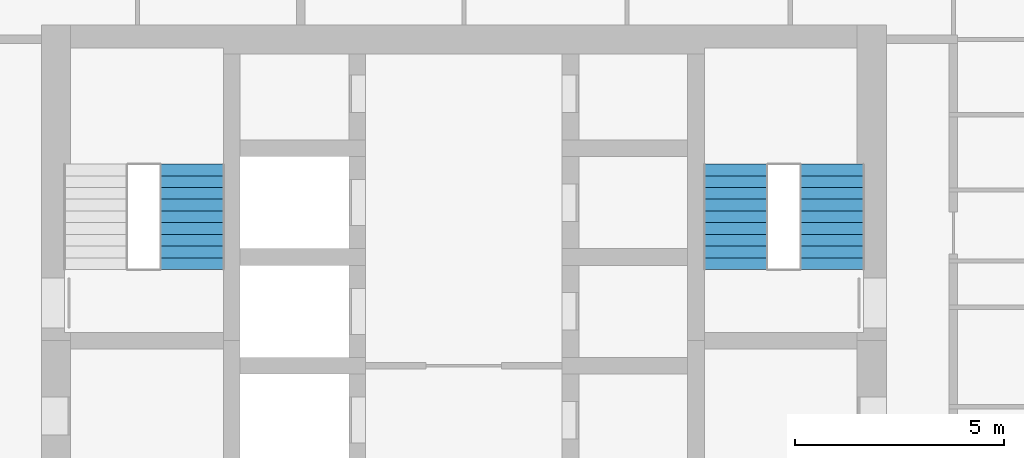
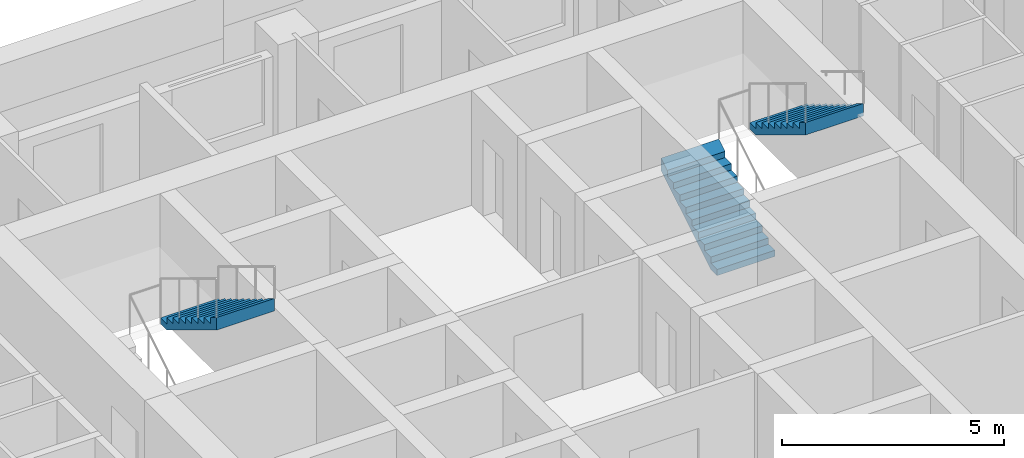
# One storey, part 15 of 17: 3 stair flights, 2 elements without a shape of their own.
"""IFC4 building model written with IfcOpenShell, lengths in metres."""

from ifc_helpers import new_model, si_unit, direction, frame, origin, place, context, subcontext, project, spatial, triangles, material, type_object, element, aggregate, save


model = new_model("IFC4")

# Units and contexts
model_context = context("Model", 3, precision=1e-05, world=origin(), true_north=direction((0.0, 1.0)))
body_context = subcontext(model_context, "Body", "Model", "MODEL_VIEW")
ifc_project = project(units=[si_unit("LENGTHUNIT", "METRE"), si_unit("AREAUNIT", "SQUARE_METRE"), si_unit("VOLUMEUNIT", "CUBIC_METRE"), si_unit("PLANEANGLEUNIT", "RADIAN"), si_unit("MASSUNIT", "GRAM", prefix="KILO")], contexts=[model_context])

# Site, building, storey
site_placement = place(None, origin())
site = spatial("IfcSite", under=ifc_project, at=site_placement, CompositionType="ELEMENT")
building_placement = place(site_placement, origin())
building = spatial("IfcBuilding", under=site, at=building_placement, Name="Ludao Terraces", CompositionType="ELEMENT")
storey_placement = place(building_placement, frame((0.0, 0.0, 54.60009765625)))
storey = spatial("IfcBuildingStorey", under=building, at=storey_placement, Name="L14", CompositionType="ELEMENT", Elevation=54.60009765625)

# Stair, stair flight
ifc_material = material(Name="Concrete C40", Category="concrete")
stair_type = type_object("IfcStairType", Name="INT Stair", PredefinedType="HALF_TURN_STAIR", material=ifc_material)
stair_1_placement = place(storey_placement, origin())
stair_1 = element("IfcStair", 1, at=stair_1_placement, inside=storey, type_object=stair_type, Name="EXIT STAIR 1", PredefinedType="HALF_TURN_STAIR")
stair_flight_type = type_object("IfcStairFlightType", Name="INT Stair flight", PredefinedType="STRAIGHT", material=ifc_material)
stair_flight_1_placement = place(storey_placement, frame((78.5, 81.52001953125, 1.699951171875), z_axis=(0.0, 0.0, 1.0), x_axis=(0.0, -1.0, 0.0)))
stair_flight_1 = element("IfcStairFlight", 2, at=stair_flight_1_placement, type_object=stair_flight_type, Name="ST1 flight 2", NumberOfRisers=10, NumberOfTreads=9, PredefinedType="STRAIGHT", RiserHeight=0.17, TreadLength=0.28, context=body_context, shape_type="Tessellation", body=[
    triangles([(0.0, -0.75, 0.0), (0.0, -0.5, 0.0), (0.0, -0.25, 0.0), (0.0, 0.0, 0.0), (0.0, 0.25, 0.0), (0.0, 0.5, 0.0), (0.0, 0.75, 0.0), (0.0, -0.75, 0.169921875), (0.0, -0.5, 0.169921875), (0.0, -0.25, 0.169921875), (0.0, 0.0, 0.169921875), (0.0, 0.25, 0.169921875), (0.0, 0.5, 0.169921875), (0.0, 0.75, 0.169921875), (0.280029296875, -0.75, 0.169921875), (0.280029296875, -0.5, 0.169921875), (0.280029296875, -0.25, 0.169921875), (0.280029296875, 0.0, 0.169921875), (0.280029296875, 0.25, 0.169921875), (0.280029296875, 0.5, 0.169921875), (0.280029296875, 0.75, 0.169921875), (0.280029296875, -0.75, 0.340087890625), (0.280029296875, -0.5, 0.340087890625), (0.280029296875, -0.25, 0.340087890625), (0.280029296875, 0.0, 0.340087890625), (0.280029296875, 0.25, 0.340087890625), (0.280029296875, 0.5, 0.340087890625), (0.280029296875, 0.75, 0.340087890625), (0.56005859375, -0.75, 0.340087890625), (0.56005859375, -0.5, 0.340087890625), (0.56005859375, -0.25, 0.340087890625), (0.56005859375, 0.0, 0.340087890625), (0.56005859375, 0.25, 0.340087890625), (0.56005859375, 0.5, 0.340087890625), (0.56005859375, 0.75, 0.340087890625), (0.56005859375, -0.75, 0.510009765625), (0.56005859375, -0.5, 0.510009765625), (0.56005859375, -0.25, 0.510009765625), (0.56005859375, 0.0, 0.510009765625), (0.56005859375, 0.25, 0.510009765625), (0.56005859375, 0.5, 0.510009765625), (0.56005859375, 0.75, 0.510009765625), (0.840087890625, -0.75, 0.510009765625), (0.840087890625, -0.5, 0.510009765625), (0.840087890625, -0.25, 0.510009765625), (0.840087890625, 0.0, 0.510009765625), (0.840087890625, 0.25, 0.510009765625), (0.840087890625, 0.5, 0.510009765625), (0.840087890625, 0.75, 0.510009765625), (0.840087890625, -0.75, 0.679931640625), (0.840087890625, -0.5, 0.679931640625), (0.840087890625, -0.25, 0.679931640625), (0.840087890625, 0.0, 0.679931640625), (0.840087890625, 0.25, 0.679931640625), (0.840087890625, 0.5, 0.679931640625), (0.840087890625, 0.75, 0.679931640625), (1.1201171875, -0.75, 0.679931640625), (1.1201171875, -0.5, 0.679931640625), (1.1201171875, -0.25, 0.679931640625), (1.1201171875, 0.0, 0.679931640625), (1.1201171875, 0.25, 0.679931640625), (1.1201171875, 0.5, 0.679931640625), (1.1201171875, 0.75, 0.679931640625), (1.1201171875, -0.75, 0.85009765625), (1.1201171875, -0.5, 0.85009765625), (1.1201171875, -0.25, 0.85009765625), (1.1201171875, 0.0, 0.85009765625), (1.1201171875, 0.25, 0.85009765625), (1.1201171875, 0.5, 0.85009765625), (1.1201171875, 0.75, 0.85009765625), (1.39990234375, -0.75, 0.85009765625), (1.39990234375, -0.5, 0.85009765625), (1.39990234375, -0.25, 0.85009765625), (1.39990234375, 0.0, 0.85009765625), (1.39990234375, 0.25, 0.85009765625), (1.39990234375, 0.5, 0.85009765625), (1.39990234375, 0.75, 0.85009765625), (1.39990234375, -0.75, 1.02001953125), (1.39990234375, -0.5, 1.02001953125), (1.39990234375, -0.25, 1.02001953125), (1.39990234375, 0.0, 1.02001953125), (1.39990234375, 0.25, 1.02001953125), (1.39990234375, 0.5, 1.02001953125), (1.39990234375, 0.75, 1.02001953125), (1.679931640625, -0.75, 1.02001953125), (1.679931640625, -0.5, 1.02001953125), (1.679931640625, -0.25, 1.02001953125), (1.679931640625, 0.0, 1.02001953125), (1.679931640625, 0.25, 1.02001953125), (1.679931640625, 0.5, 1.02001953125), (1.679931640625, 0.75, 1.02001953125), (1.679931640625, -0.75, 1.18994140625), (1.679931640625, -0.5, 1.18994140625), (1.679931640625, -0.25, 1.18994140625), (1.679931640625, 0.0, 1.18994140625), (1.679931640625, 0.25, 1.18994140625), (1.679931640625, 0.5, 1.18994140625), (1.679931640625, 0.75, 1.18994140625), (1.9599609375, -0.75, 1.18994140625), (1.9599609375, -0.5, 1.18994140625), (1.9599609375, -0.25, 1.18994140625), (1.9599609375, 0.0, 1.18994140625), (1.9599609375, 0.25, 1.18994140625), (1.9599609375, 0.5, 1.18994140625), (1.9599609375, 0.75, 1.18994140625), (1.9599609375, -0.75, 1.360107421875), (1.9599609375, -0.5, 1.360107421875), (1.9599609375, -0.25, 1.360107421875), (1.9599609375, 0.0, 1.360107421875), (1.9599609375, 0.25, 1.360107421875), (1.9599609375, 0.5, 1.360107421875), (1.9599609375, 0.75, 1.360107421875), (2.239990234375, -0.75, 1.360107421875), (2.239990234375, -0.5, 1.360107421875), (2.239990234375, -0.25, 1.360107421875), (2.239990234375, 0.0, 1.360107421875), (2.239990234375, 0.25, 1.360107421875), (2.239990234375, 0.5, 1.360107421875), (2.239990234375, 0.75, 1.360107421875), (2.239990234375, -0.75, 1.530029296875), (2.239990234375, -0.5, 1.530029296875), (2.239990234375, -0.25, 1.530029296875), (2.239990234375, 0.0, 1.530029296875), (2.239990234375, 0.25, 1.530029296875), (2.239990234375, 0.5, 1.530029296875), (2.239990234375, 0.75, 1.530029296875), (2.52001953125, -0.75, 1.699951171875), (2.52001953125, -0.5, 1.699951171875), (2.52001953125, -0.25, 1.699951171875), (2.52001953125, 0.0, 1.699951171875), (2.52001953125, 0.25, 1.699951171875), (2.52001953125, 0.5, 1.699951171875), (2.52001953125, 0.75, 1.699951171875), (2.52001953125, -0.75, 1.354736328125), (2.52001953125, -0.5, 1.354736328125), (2.52001953125, -0.25, 1.354736328125), (2.52001953125, 0.0, 1.354736328125), (2.52001953125, 0.25, 1.354736328125), (2.52001953125, 0.5, 1.354736328125), (2.52001953125, 0.75, 1.354736328125), (0.288818359375, -0.75, 0.0), (0.288818359375, -0.5, 0.0), (0.288818359375, -0.25, 0.0), (0.288818359375, 0.0, 0.0), (0.288818359375, 0.25, 0.0), (0.288818359375, 0.5, 0.0), (0.288818359375, 0.75, 0.0)], [[1, 141, 134], [7, 140, 147], [134, 127, 120], [140, 126, 133], [134, 120, 113], [140, 119, 126], [134, 113, 106], [140, 112, 119], [134, 106, 99], [140, 105, 112], [99, 92, 85], [105, 91, 98], [134, 99, 85], [140, 91, 105], [85, 78, 71], [91, 77, 84], [134, 85, 71], [140, 77, 91], [71, 64, 57], [77, 63, 70], [134, 71, 57], [140, 63, 77], [57, 50, 43], [63, 49, 56], [134, 57, 43], [140, 49, 63], [43, 36, 29], [49, 35, 42], [134, 43, 29], [140, 35, 49], [29, 22, 15], [35, 21, 28], [134, 29, 15], [140, 21, 35], [1, 134, 15], [7, 21, 140], [15, 8, 1], [21, 7, 14], [1, 9, 2], [1, 8, 9], [2, 10, 3], [2, 9, 10], [3, 11, 4], [3, 10, 11], [4, 12, 5], [4, 11, 12], [5, 13, 6], [5, 12, 13], [6, 14, 7], [6, 13, 14], [8, 16, 9], [8, 15, 16], [9, 17, 10], [9, 16, 17], [10, 18, 11], [10, 17, 18], [11, 19, 12], [11, 18, 19], [12, 20, 13], [12, 19, 20], [13, 21, 14], [13, 20, 21], [15, 23, 16], [15, 22, 23], [16, 24, 17], [16, 23, 24], [17, 25, 18], [17, 24, 25], [18, 26, 19], [18, 25, 26], [19, 27, 20], [19, 26, 27], [20, 28, 21], [20, 27, 28], [22, 30, 23], [22, 29, 30], [23, 31, 24], [23, 30, 31], [24, 32, 25], [24, 31, 32], [25, 33, 26], [25, 32, 33], [26, 34, 27], [26, 33, 34], [27, 35, 28], [27, 34, 35], [29, 37, 30], [29, 36, 37], [30, 38, 31], [30, 37, 38], [31, 39, 32], [31, 38, 39], [32, 40, 33], [32, 39, 40], [33, 41, 34], [33, 40, 41], [34, 42, 35], [34, 41, 42], [36, 44, 37], [36, 43, 44], [37, 45, 38], [37, 44, 45], [38, 46, 39], [38, 45, 46], [39, 47, 40], [39, 46, 47], [40, 48, 41], [40, 47, 48], [41, 49, 42], [41, 48, 49], [43, 51, 44], [43, 50, 51], [44, 52, 45], [44, 51, 52], [45, 53, 46], [45, 52, 53], [46, 54, 47], [46, 53, 54], [47, 55, 48], [47, 54, 55], [48, 56, 49], [48, 55, 56], [50, 58, 51], [50, 57, 58], [51, 59, 52], [51, 58, 59], [52, 60, 53], [52, 59, 60], [53, 61, 54], [53, 60, 61], [54, 62, 55], [54, 61, 62], [55, 63, 56], [55, 62, 63], [57, 65, 58], [57, 64, 65], [58, 66, 59], [58, 65, 66], [59, 67, 60], [59, 66, 67], [60, 68, 61], [60, 67, 68], [61, 69, 62], [61, 68, 69], [62, 70, 63], [62, 69, 70], [64, 72, 65], [64, 71, 72], [65, 73, 66], [65, 72, 73], [66, 74, 67], [66, 73, 74], [67, 75, 68], [67, 74, 75], [68, 76, 69], [68, 75, 76], [69, 77, 70], [69, 76, 77], [71, 79, 72], [71, 78, 79], [72, 80, 73], [72, 79, 80], [73, 81, 74], [73, 80, 81], [74, 82, 75], [74, 81, 82], [75, 83, 76], [75, 82, 83], [76, 84, 77], [76, 83, 84], [78, 86, 79], [78, 85, 86], [79, 87, 80], [79, 86, 87], [80, 88, 81], [80, 87, 88], [81, 89, 82], [81, 88, 89], [82, 90, 83], [82, 89, 90], [83, 91, 84], [83, 90, 91], [85, 93, 86], [85, 92, 93], [86, 94, 87], [86, 93, 94], [87, 95, 88], [87, 94, 95], [88, 96, 89], [88, 95, 96], [89, 97, 90], [89, 96, 97], [90, 98, 91], [90, 97, 98], [92, 100, 93], [92, 99, 100], [93, 101, 94], [93, 100, 101], [94, 102, 95], [94, 101, 102], [95, 103, 96], [95, 102, 103], [96, 104, 97], [96, 103, 104], [97, 105, 98], [97, 104, 105], [99, 107, 100], [99, 106, 107], [100, 108, 101], [100, 107, 108], [101, 109, 102], [101, 108, 109], [102, 110, 103], [102, 109, 110], [103, 111, 104], [103, 110, 111], [104, 112, 105], [104, 111, 112], [106, 114, 107], [106, 113, 114], [107, 115, 108], [107, 114, 115], [108, 116, 109], [108, 115, 116], [109, 117, 110], [109, 116, 117], [110, 118, 111], [110, 117, 118], [111, 119, 112], [111, 118, 119], [113, 121, 114], [113, 120, 121], [114, 122, 115], [114, 121, 122], [115, 123, 116], [115, 122, 123], [116, 124, 117], [116, 123, 124], [117, 125, 118], [117, 124, 125], [118, 126, 119], [118, 125, 126], [120, 128, 121], [120, 127, 128], [121, 129, 122], [121, 128, 129], [122, 130, 123], [122, 129, 130], [123, 131, 124], [123, 130, 131], [124, 132, 125], [124, 131, 132], [125, 133, 126], [125, 132, 133], [127, 135, 128], [127, 134, 135], [128, 136, 129], [128, 135, 136], [129, 137, 130], [129, 136, 137], [130, 138, 131], [130, 137, 138], [131, 139, 132], [131, 138, 139], [132, 140, 133], [132, 139, 140], [134, 142, 135], [134, 141, 142], [135, 143, 136], [135, 142, 143], [136, 144, 137], [136, 143, 144], [137, 145, 138], [137, 144, 145], [138, 146, 139], [138, 145, 146], [139, 147, 140], [139, 146, 147], [141, 2, 142], [141, 1, 2], [142, 3, 143], [142, 2, 3], [143, 4, 144], [143, 3, 4], [144, 5, 145], [144, 4, 5], [145, 6, 146], [145, 5, 6], [146, 7, 147], [146, 6, 7]], closed=True),
])
aggregate(stair_1, [stair_flight_1])

# Stair, stair flights
stair_2_placement = place(storey_placement, origin())
stair_2 = element("IfcStair", 3, at=stair_2_placement, inside=storey, type_object=stair_type, Name="EXIT STAIR 2", PredefinedType="HALF_TURN_STAIR")
stair_flight_2_placement = place(storey_placement, frame((91.5, 79.0, 0.0), z_axis=(0.0, 0.0, 1.0), x_axis=(0.0, 1.0, 0.0)))
stair_flight_2 = element("IfcStairFlight", 4, at=stair_flight_2_placement, type_object=stair_flight_type, Name="ST2 flight 1", NumberOfRisers=10, NumberOfTreads=9, PredefinedType="STRAIGHT", RiserHeight=0.17, TreadLength=0.28, context=body_context, shape_type="Tessellation", body=[
    triangles([(0.0, -0.75, 0.0), (0.0, -0.5, 0.0), (0.0, -0.25, 0.0), (0.0, 0.0, 0.0), (0.0, 0.25, 0.0), (0.0, 0.5, 0.0), (0.0, 0.75, 0.0), (0.0, -0.75, 0.169921875), (0.0, -0.5, 0.169921875), (0.0, -0.25, 0.169921875), (0.0, 0.0, 0.169921875), (0.0, 0.25, 0.169921875), (0.0, 0.5, 0.169921875), (0.0, 0.75, 0.169921875), (0.280029296875, -0.75, 0.169921875), (0.280029296875, -0.5, 0.169921875), (0.280029296875, -0.25, 0.169921875), (0.280029296875, 0.0, 0.169921875), (0.280029296875, 0.25, 0.169921875), (0.280029296875, 0.5, 0.169921875), (0.280029296875, 0.75, 0.169921875), (0.280029296875, -0.75, 0.340087890625), (0.280029296875, -0.5, 0.340087890625), (0.280029296875, -0.25, 0.340087890625), (0.280029296875, 0.0, 0.340087890625), (0.280029296875, 0.25, 0.340087890625), (0.280029296875, 0.5, 0.340087890625), (0.280029296875, 0.75, 0.340087890625), (0.56005859375, -0.75, 0.340087890625), (0.56005859375, -0.5, 0.340087890625), (0.56005859375, -0.25, 0.340087890625), (0.56005859375, 0.0, 0.340087890625), (0.56005859375, 0.25, 0.340087890625), (0.56005859375, 0.5, 0.340087890625), (0.56005859375, 0.75, 0.340087890625), (0.56005859375, -0.75, 0.510009765625), (0.56005859375, -0.5, 0.510009765625), (0.56005859375, -0.25, 0.510009765625), (0.56005859375, 0.0, 0.510009765625), (0.56005859375, 0.25, 0.510009765625), (0.56005859375, 0.5, 0.510009765625), (0.56005859375, 0.75, 0.510009765625), (0.840087890625, -0.75, 0.510009765625), (0.840087890625, -0.5, 0.510009765625), (0.840087890625, -0.25, 0.510009765625), (0.840087890625, 0.0, 0.510009765625), (0.840087890625, 0.25, 0.510009765625), (0.840087890625, 0.5, 0.510009765625), (0.840087890625, 0.75, 0.510009765625), (0.840087890625, -0.75, 0.679931640625), (0.840087890625, -0.5, 0.679931640625), (0.840087890625, -0.25, 0.679931640625), (0.840087890625, 0.0, 0.679931640625), (0.840087890625, 0.25, 0.679931640625), (0.840087890625, 0.5, 0.679931640625), (0.840087890625, 0.75, 0.679931640625), (1.1201171875, -0.75, 0.679931640625), (1.1201171875, -0.5, 0.679931640625), (1.1201171875, -0.25, 0.679931640625), (1.1201171875, 0.0, 0.679931640625), (1.1201171875, 0.25, 0.679931640625), (1.1201171875, 0.5, 0.679931640625), (1.1201171875, 0.75, 0.679931640625), (1.1201171875, -0.75, 0.85009765625), (1.1201171875, -0.5, 0.85009765625), (1.1201171875, -0.25, 0.85009765625), (1.1201171875, 0.0, 0.85009765625), (1.1201171875, 0.25, 0.85009765625), (1.1201171875, 0.5, 0.85009765625), (1.1201171875, 0.75, 0.85009765625), (1.39990234375, -0.75, 0.85009765625), (1.39990234375, -0.5, 0.85009765625), (1.39990234375, -0.25, 0.85009765625), (1.39990234375, 0.0, 0.85009765625), (1.39990234375, 0.25, 0.85009765625), (1.39990234375, 0.5, 0.85009765625), (1.39990234375, 0.75, 0.85009765625), (1.39990234375, -0.75, 1.02001953125), (1.39990234375, -0.5, 1.02001953125), (1.39990234375, -0.25, 1.02001953125), (1.39990234375, 0.0, 1.02001953125), (1.39990234375, 0.25, 1.02001953125), (1.39990234375, 0.5, 1.02001953125), (1.39990234375, 0.75, 1.02001953125), (1.679931640625, -0.75, 1.02001953125), (1.679931640625, -0.5, 1.02001953125), (1.679931640625, -0.25, 1.02001953125), (1.679931640625, 0.0, 1.02001953125), (1.679931640625, 0.25, 1.02001953125), (1.679931640625, 0.5, 1.02001953125), (1.679931640625, 0.75, 1.02001953125), (1.679931640625, -0.75, 1.18994140625), (1.679931640625, -0.5, 1.18994140625), (1.679931640625, -0.25, 1.18994140625), (1.679931640625, 0.0, 1.18994140625), (1.679931640625, 0.25, 1.18994140625), (1.679931640625, 0.5, 1.18994140625), (1.679931640625, 0.75, 1.18994140625), (1.9599609375, -0.75, 1.18994140625), (1.9599609375, -0.5, 1.18994140625), (1.9599609375, -0.25, 1.18994140625), (1.9599609375, 0.0, 1.18994140625), (1.9599609375, 0.25, 1.18994140625), (1.9599609375, 0.5, 1.18994140625), (1.9599609375, 0.75, 1.18994140625), (1.9599609375, -0.75, 1.360107421875), (1.9599609375, -0.5, 1.360107421875), (1.9599609375, -0.25, 1.360107421875), (1.9599609375, 0.0, 1.360107421875), (1.9599609375, 0.25, 1.360107421875), (1.9599609375, 0.5, 1.360107421875), (1.9599609375, 0.75, 1.360107421875), (2.239990234375, -0.75, 1.360107421875), (2.239990234375, -0.5, 1.360107421875), (2.239990234375, -0.25, 1.360107421875), (2.239990234375, 0.0, 1.360107421875), (2.239990234375, 0.25, 1.360107421875), (2.239990234375, 0.5, 1.360107421875), (2.239990234375, 0.75, 1.360107421875), (2.239990234375, -0.75, 1.530029296875), (2.239990234375, -0.5, 1.530029296875), (2.239990234375, -0.25, 1.530029296875), (2.239990234375, 0.0, 1.530029296875), (2.239990234375, 0.25, 1.530029296875), (2.239990234375, 0.5, 1.530029296875), (2.239990234375, 0.75, 1.530029296875), (2.52001953125, -0.75, 1.699951171875), (2.52001953125, -0.5, 1.699951171875), (2.52001953125, -0.25, 1.699951171875), (2.52001953125, 0.0, 1.699951171875), (2.52001953125, 0.25, 1.699951171875), (2.52001953125, 0.5, 1.699951171875), (2.52001953125, 0.75, 1.699951171875), (2.52001953125, -0.75, 1.354736328125), (2.52001953125, -0.5, 1.354736328125), (2.52001953125, -0.25, 1.354736328125), (2.52001953125, 0.0, 1.354736328125), (2.52001953125, 0.25, 1.354736328125), (2.52001953125, 0.5, 1.354736328125), (2.52001953125, 0.75, 1.354736328125), (0.288818359375, -0.75, 0.0), (0.288818359375, -0.5, 0.0), (0.288818359375, -0.25, 0.0), (0.288818359375, 0.0, 0.0), (0.288818359375, 0.25, 0.0), (0.288818359375, 0.5, 0.0), (0.288818359375, 0.75, 0.0)], [[1, 141, 134], [7, 140, 147], [134, 127, 120], [140, 126, 133], [134, 120, 113], [140, 119, 126], [134, 113, 106], [140, 112, 119], [134, 106, 99], [140, 105, 112], [99, 92, 85], [105, 91, 98], [134, 99, 85], [140, 91, 105], [85, 78, 71], [91, 77, 84], [134, 85, 71], [140, 77, 91], [71, 64, 57], [77, 63, 70], [134, 71, 57], [140, 63, 77], [57, 50, 43], [63, 49, 56], [134, 57, 43], [140, 49, 63], [43, 36, 29], [49, 35, 42], [134, 43, 29], [140, 35, 49], [29, 22, 15], [35, 21, 28], [134, 29, 15], [140, 21, 35], [1, 134, 15], [7, 21, 140], [15, 8, 1], [21, 7, 14], [1, 9, 2], [1, 8, 9], [2, 10, 3], [2, 9, 10], [3, 11, 4], [3, 10, 11], [4, 12, 5], [4, 11, 12], [5, 13, 6], [5, 12, 13], [6, 14, 7], [6, 13, 14], [8, 16, 9], [8, 15, 16], [9, 17, 10], [9, 16, 17], [10, 18, 11], [10, 17, 18], [11, 19, 12], [11, 18, 19], [12, 20, 13], [12, 19, 20], [13, 21, 14], [13, 20, 21], [15, 23, 16], [15, 22, 23], [16, 24, 17], [16, 23, 24], [17, 25, 18], [17, 24, 25], [18, 26, 19], [18, 25, 26], [19, 27, 20], [19, 26, 27], [20, 28, 21], [20, 27, 28], [22, 30, 23], [22, 29, 30], [23, 31, 24], [23, 30, 31], [24, 32, 25], [24, 31, 32], [25, 33, 26], [25, 32, 33], [26, 34, 27], [26, 33, 34], [27, 35, 28], [27, 34, 35], [29, 37, 30], [29, 36, 37], [30, 38, 31], [30, 37, 38], [31, 39, 32], [31, 38, 39], [32, 40, 33], [32, 39, 40], [33, 41, 34], [33, 40, 41], [34, 42, 35], [34, 41, 42], [36, 44, 37], [36, 43, 44], [37, 45, 38], [37, 44, 45], [38, 46, 39], [38, 45, 46], [39, 47, 40], [39, 46, 47], [40, 48, 41], [40, 47, 48], [41, 49, 42], [41, 48, 49], [43, 51, 44], [43, 50, 51], [44, 52, 45], [44, 51, 52], [45, 53, 46], [45, 52, 53], [46, 54, 47], [46, 53, 54], [47, 55, 48], [47, 54, 55], [48, 56, 49], [48, 55, 56], [50, 58, 51], [50, 57, 58], [51, 59, 52], [51, 58, 59], [52, 60, 53], [52, 59, 60], [53, 61, 54], [53, 60, 61], [54, 62, 55], [54, 61, 62], [55, 63, 56], [55, 62, 63], [57, 65, 58], [57, 64, 65], [58, 66, 59], [58, 65, 66], [59, 67, 60], [59, 66, 67], [60, 68, 61], [60, 67, 68], [61, 69, 62], [61, 68, 69], [62, 70, 63], [62, 69, 70], [64, 72, 65], [64, 71, 72], [65, 73, 66], [65, 72, 73], [66, 74, 67], [66, 73, 74], [67, 75, 68], [67, 74, 75], [68, 76, 69], [68, 75, 76], [69, 77, 70], [69, 76, 77], [71, 79, 72], [71, 78, 79], [72, 80, 73], [72, 79, 80], [73, 81, 74], [73, 80, 81], [74, 82, 75], [74, 81, 82], [75, 83, 76], [75, 82, 83], [76, 84, 77], [76, 83, 84], [78, 86, 79], [78, 85, 86], [79, 87, 80], [79, 86, 87], [80, 88, 81], [80, 87, 88], [81, 89, 82], [81, 88, 89], [82, 90, 83], [82, 89, 90], [83, 91, 84], [83, 90, 91], [85, 93, 86], [85, 92, 93], [86, 94, 87], [86, 93, 94], [87, 95, 88], [87, 94, 95], [88, 96, 89], [88, 95, 96], [89, 97, 90], [89, 96, 97], [90, 98, 91], [90, 97, 98], [92, 100, 93], [92, 99, 100], [93, 101, 94], [93, 100, 101], [94, 102, 95], [94, 101, 102], [95, 103, 96], [95, 102, 103], [96, 104, 97], [96, 103, 104], [97, 105, 98], [97, 104, 105], [99, 107, 100], [99, 106, 107], [100, 108, 101], [100, 107, 108], [101, 109, 102], [101, 108, 109], [102, 110, 103], [102, 109, 110], [103, 111, 104], [103, 110, 111], [104, 112, 105], [104, 111, 112], [106, 114, 107], [106, 113, 114], [107, 115, 108], [107, 114, 115], [108, 116, 109], [108, 115, 116], [109, 117, 110], [109, 116, 117], [110, 118, 111], [110, 117, 118], [111, 119, 112], [111, 118, 119], [113, 121, 114], [113, 120, 121], [114, 122, 115], [114, 121, 122], [115, 123, 116], [115, 122, 123], [116, 124, 117], [116, 123, 124], [117, 125, 118], [117, 124, 125], [118, 126, 119], [118, 125, 126], [120, 128, 121], [120, 127, 128], [121, 129, 122], [121, 128, 129], [122, 130, 123], [122, 129, 130], [123, 131, 124], [123, 130, 131], [124, 132, 125], [124, 131, 132], [125, 133, 126], [125, 132, 133], [127, 135, 128], [127, 134, 135], [128, 136, 129], [128, 135, 136], [129, 137, 130], [129, 136, 137], [130, 138, 131], [130, 137, 138], [131, 139, 132], [131, 138, 139], [132, 140, 133], [132, 139, 140], [134, 142, 135], [134, 141, 142], [135, 143, 136], [135, 142, 143], [136, 144, 137], [136, 143, 144], [137, 145, 138], [137, 144, 145], [138, 146, 139], [138, 145, 146], [139, 147, 140], [139, 146, 147], [141, 2, 142], [141, 1, 2], [142, 3, 143], [142, 2, 3], [143, 4, 144], [143, 3, 4], [144, 5, 145], [144, 4, 5], [145, 6, 146], [145, 5, 6], [146, 7, 147], [146, 6, 7]], closed=True),
])
stair_flight_3_placement = place(storey_placement, frame((93.800048828125, 81.52001953125, 1.699951171875), z_axis=(0.0, 0.0, 1.0), x_axis=(0.0, -1.0, 0.0)))
stair_flight_3 = element("IfcStairFlight", 5, at=stair_flight_3_placement, type_object=stair_flight_type, Name="ST2 flight 2", NumberOfRisers=10, NumberOfTreads=9, PredefinedType="STRAIGHT", RiserHeight=0.17, TreadLength=0.28, context=body_context, shape_type="Tessellation", body=[
    triangles([(0.0, -0.75, 0.0), (0.0, -0.5, 0.0), (0.0, -0.25, 0.0), (0.0, 0.0, 0.0), (0.0, 0.25, 0.0), (0.0, 0.5, 0.0), (0.0, 0.75, 0.0), (0.0, -0.75, 0.169921875), (0.0, -0.5, 0.169921875), (0.0, -0.25, 0.169921875), (0.0, 0.0, 0.169921875), (0.0, 0.25, 0.169921875), (0.0, 0.5, 0.169921875), (0.0, 0.75, 0.169921875), (0.280029296875, -0.75, 0.169921875), (0.280029296875, -0.5, 0.169921875), (0.280029296875, -0.25, 0.169921875), (0.280029296875, 0.0, 0.169921875), (0.280029296875, 0.25, 0.169921875), (0.280029296875, 0.5, 0.169921875), (0.280029296875, 0.75, 0.169921875), (0.280029296875, -0.75, 0.340087890625), (0.280029296875, -0.5, 0.340087890625), (0.280029296875, -0.25, 0.340087890625), (0.280029296875, 0.0, 0.340087890625), (0.280029296875, 0.25, 0.340087890625), (0.280029296875, 0.5, 0.340087890625), (0.280029296875, 0.75, 0.340087890625), (0.56005859375, -0.75, 0.340087890625), (0.56005859375, -0.5, 0.340087890625), (0.56005859375, -0.25, 0.340087890625), (0.56005859375, 0.0, 0.340087890625), (0.56005859375, 0.25, 0.340087890625), (0.56005859375, 0.5, 0.340087890625), (0.56005859375, 0.75, 0.340087890625), (0.56005859375, -0.75, 0.510009765625), (0.56005859375, -0.5, 0.510009765625), (0.56005859375, -0.25, 0.510009765625), (0.56005859375, 0.0, 0.510009765625), (0.56005859375, 0.25, 0.510009765625), (0.56005859375, 0.5, 0.510009765625), (0.56005859375, 0.75, 0.510009765625), (0.840087890625, -0.75, 0.510009765625), (0.840087890625, -0.5, 0.510009765625), (0.840087890625, -0.25, 0.510009765625), (0.840087890625, 0.0, 0.510009765625), (0.840087890625, 0.25, 0.510009765625), (0.840087890625, 0.5, 0.510009765625), (0.840087890625, 0.75, 0.510009765625), (0.840087890625, -0.75, 0.679931640625), (0.840087890625, -0.5, 0.679931640625), (0.840087890625, -0.25, 0.679931640625), (0.840087890625, 0.0, 0.679931640625), (0.840087890625, 0.25, 0.679931640625), (0.840087890625, 0.5, 0.679931640625), (0.840087890625, 0.75, 0.679931640625), (1.1201171875, -0.75, 0.679931640625), (1.1201171875, -0.5, 0.679931640625), (1.1201171875, -0.25, 0.679931640625), (1.1201171875, 0.0, 0.679931640625), (1.1201171875, 0.25, 0.679931640625), (1.1201171875, 0.5, 0.679931640625), (1.1201171875, 0.75, 0.679931640625), (1.1201171875, -0.75, 0.85009765625), (1.1201171875, -0.5, 0.85009765625), (1.1201171875, -0.25, 0.85009765625), (1.1201171875, 0.0, 0.85009765625), (1.1201171875, 0.25, 0.85009765625), (1.1201171875, 0.5, 0.85009765625), (1.1201171875, 0.75, 0.85009765625), (1.39990234375, -0.75, 0.85009765625), (1.39990234375, -0.5, 0.85009765625), (1.39990234375, -0.25, 0.85009765625), (1.39990234375, 0.0, 0.85009765625), (1.39990234375, 0.25, 0.85009765625), (1.39990234375, 0.5, 0.85009765625), (1.39990234375, 0.75, 0.85009765625), (1.39990234375, -0.75, 1.02001953125), (1.39990234375, -0.5, 1.02001953125), (1.39990234375, -0.25, 1.02001953125), (1.39990234375, 0.0, 1.02001953125), (1.39990234375, 0.25, 1.02001953125), (1.39990234375, 0.5, 1.02001953125), (1.39990234375, 0.75, 1.02001953125), (1.679931640625, -0.75, 1.02001953125), (1.679931640625, -0.5, 1.02001953125), (1.679931640625, -0.25, 1.02001953125), (1.679931640625, 0.0, 1.02001953125), (1.679931640625, 0.25, 1.02001953125), (1.679931640625, 0.5, 1.02001953125), (1.679931640625, 0.75, 1.02001953125), (1.679931640625, -0.75, 1.18994140625), (1.679931640625, -0.5, 1.18994140625), (1.679931640625, -0.25, 1.18994140625), (1.679931640625, 0.0, 1.18994140625), (1.679931640625, 0.25, 1.18994140625), (1.679931640625, 0.5, 1.18994140625), (1.679931640625, 0.75, 1.18994140625), (1.9599609375, -0.75, 1.18994140625), (1.9599609375, -0.5, 1.18994140625), (1.9599609375, -0.25, 1.18994140625), (1.9599609375, 0.0, 1.18994140625), (1.9599609375, 0.25, 1.18994140625), (1.9599609375, 0.5, 1.18994140625), (1.9599609375, 0.75, 1.18994140625), (1.9599609375, -0.75, 1.360107421875), (1.9599609375, -0.5, 1.360107421875), (1.9599609375, -0.25, 1.360107421875), (1.9599609375, 0.0, 1.360107421875), (1.9599609375, 0.25, 1.360107421875), (1.9599609375, 0.5, 1.360107421875), (1.9599609375, 0.75, 1.360107421875), (2.239990234375, -0.75, 1.360107421875), (2.239990234375, -0.5, 1.360107421875), (2.239990234375, -0.25, 1.360107421875), (2.239990234375, 0.0, 1.360107421875), (2.239990234375, 0.25, 1.360107421875), (2.239990234375, 0.5, 1.360107421875), (2.239990234375, 0.75, 1.360107421875), (2.239990234375, -0.75, 1.530029296875), (2.239990234375, -0.5, 1.530029296875), (2.239990234375, -0.25, 1.530029296875), (2.239990234375, 0.0, 1.530029296875), (2.239990234375, 0.25, 1.530029296875), (2.239990234375, 0.5, 1.530029296875), (2.239990234375, 0.75, 1.530029296875), (2.52001953125, -0.75, 1.699951171875), (2.52001953125, -0.5, 1.699951171875), (2.52001953125, -0.25, 1.699951171875), (2.52001953125, 0.0, 1.699951171875), (2.52001953125, 0.25, 1.699951171875), (2.52001953125, 0.5, 1.699951171875), (2.52001953125, 0.75, 1.699951171875), (2.52001953125, -0.75, 1.354736328125), (2.52001953125, -0.5, 1.354736328125), (2.52001953125, -0.25, 1.354736328125), (2.52001953125, 0.0, 1.354736328125), (2.52001953125, 0.25, 1.354736328125), (2.52001953125, 0.5, 1.354736328125), (2.52001953125, 0.75, 1.354736328125), (0.288818359375, -0.75, 0.0), (0.288818359375, -0.5, 0.0), (0.288818359375, -0.25, 0.0), (0.288818359375, 0.0, 0.0), (0.288818359375, 0.25, 0.0), (0.288818359375, 0.5, 0.0), (0.288818359375, 0.75, 0.0)], [[1, 141, 134], [7, 140, 147], [134, 127, 120], [140, 126, 133], [134, 120, 113], [140, 119, 126], [134, 113, 106], [140, 112, 119], [134, 106, 99], [140, 105, 112], [99, 92, 85], [105, 91, 98], [134, 99, 85], [140, 91, 105], [85, 78, 71], [91, 77, 84], [134, 85, 71], [140, 77, 91], [71, 64, 57], [77, 63, 70], [134, 71, 57], [140, 63, 77], [57, 50, 43], [63, 49, 56], [134, 57, 43], [140, 49, 63], [43, 36, 29], [49, 35, 42], [134, 43, 29], [140, 35, 49], [29, 22, 15], [35, 21, 28], [134, 29, 15], [140, 21, 35], [1, 134, 15], [7, 21, 140], [15, 8, 1], [21, 7, 14], [1, 9, 2], [1, 8, 9], [2, 10, 3], [2, 9, 10], [3, 11, 4], [3, 10, 11], [4, 12, 5], [4, 11, 12], [5, 13, 6], [5, 12, 13], [6, 14, 7], [6, 13, 14], [8, 16, 9], [8, 15, 16], [9, 17, 10], [9, 16, 17], [10, 18, 11], [10, 17, 18], [11, 19, 12], [11, 18, 19], [12, 20, 13], [12, 19, 20], [13, 21, 14], [13, 20, 21], [15, 23, 16], [15, 22, 23], [16, 24, 17], [16, 23, 24], [17, 25, 18], [17, 24, 25], [18, 26, 19], [18, 25, 26], [19, 27, 20], [19, 26, 27], [20, 28, 21], [20, 27, 28], [22, 30, 23], [22, 29, 30], [23, 31, 24], [23, 30, 31], [24, 32, 25], [24, 31, 32], [25, 33, 26], [25, 32, 33], [26, 34, 27], [26, 33, 34], [27, 35, 28], [27, 34, 35], [29, 37, 30], [29, 36, 37], [30, 38, 31], [30, 37, 38], [31, 39, 32], [31, 38, 39], [32, 40, 33], [32, 39, 40], [33, 41, 34], [33, 40, 41], [34, 42, 35], [34, 41, 42], [36, 44, 37], [36, 43, 44], [37, 45, 38], [37, 44, 45], [38, 46, 39], [38, 45, 46], [39, 47, 40], [39, 46, 47], [40, 48, 41], [40, 47, 48], [41, 49, 42], [41, 48, 49], [43, 51, 44], [43, 50, 51], [44, 52, 45], [44, 51, 52], [45, 53, 46], [45, 52, 53], [46, 54, 47], [46, 53, 54], [47, 55, 48], [47, 54, 55], [48, 56, 49], [48, 55, 56], [50, 58, 51], [50, 57, 58], [51, 59, 52], [51, 58, 59], [52, 60, 53], [52, 59, 60], [53, 61, 54], [53, 60, 61], [54, 62, 55], [54, 61, 62], [55, 63, 56], [55, 62, 63], [57, 65, 58], [57, 64, 65], [58, 66, 59], [58, 65, 66], [59, 67, 60], [59, 66, 67], [60, 68, 61], [60, 67, 68], [61, 69, 62], [61, 68, 69], [62, 70, 63], [62, 69, 70], [64, 72, 65], [64, 71, 72], [65, 73, 66], [65, 72, 73], [66, 74, 67], [66, 73, 74], [67, 75, 68], [67, 74, 75], [68, 76, 69], [68, 75, 76], [69, 77, 70], [69, 76, 77], [71, 79, 72], [71, 78, 79], [72, 80, 73], [72, 79, 80], [73, 81, 74], [73, 80, 81], [74, 82, 75], [74, 81, 82], [75, 83, 76], [75, 82, 83], [76, 84, 77], [76, 83, 84], [78, 86, 79], [78, 85, 86], [79, 87, 80], [79, 86, 87], [80, 88, 81], [80, 87, 88], [81, 89, 82], [81, 88, 89], [82, 90, 83], [82, 89, 90], [83, 91, 84], [83, 90, 91], [85, 93, 86], [85, 92, 93], [86, 94, 87], [86, 93, 94], [87, 95, 88], [87, 94, 95], [88, 96, 89], [88, 95, 96], [89, 97, 90], [89, 96, 97], [90, 98, 91], [90, 97, 98], [92, 100, 93], [92, 99, 100], [93, 101, 94], [93, 100, 101], [94, 102, 95], [94, 101, 102], [95, 103, 96], [95, 102, 103], [96, 104, 97], [96, 103, 104], [97, 105, 98], [97, 104, 105], [99, 107, 100], [99, 106, 107], [100, 108, 101], [100, 107, 108], [101, 109, 102], [101, 108, 109], [102, 110, 103], [102, 109, 110], [103, 111, 104], [103, 110, 111], [104, 112, 105], [104, 111, 112], [106, 114, 107], [106, 113, 114], [107, 115, 108], [107, 114, 115], [108, 116, 109], [108, 115, 116], [109, 117, 110], [109, 116, 117], [110, 118, 111], [110, 117, 118], [111, 119, 112], [111, 118, 119], [113, 121, 114], [113, 120, 121], [114, 122, 115], [114, 121, 122], [115, 123, 116], [115, 122, 123], [116, 124, 117], [116, 123, 124], [117, 125, 118], [117, 124, 125], [118, 126, 119], [118, 125, 126], [120, 128, 121], [120, 127, 128], [121, 129, 122], [121, 128, 129], [122, 130, 123], [122, 129, 130], [123, 131, 124], [123, 130, 131], [124, 132, 125], [124, 131, 132], [125, 133, 126], [125, 132, 133], [127, 135, 128], [127, 134, 135], [128, 136, 129], [128, 135, 136], [129, 137, 130], [129, 136, 137], [130, 138, 131], [130, 137, 138], [131, 139, 132], [131, 138, 139], [132, 140, 133], [132, 139, 140], [134, 142, 135], [134, 141, 142], [135, 143, 136], [135, 142, 143], [136, 144, 137], [136, 143, 144], [137, 145, 138], [137, 144, 145], [138, 146, 139], [138, 145, 146], [139, 147, 140], [139, 146, 147], [141, 2, 142], [141, 1, 2], [142, 3, 143], [142, 2, 3], [143, 4, 144], [143, 3, 4], [144, 5, 145], [144, 4, 5], [145, 6, 146], [145, 5, 6], [146, 7, 147], [146, 6, 7]], closed=True),
])
aggregate(stair_2, [stair_flight_2, stair_flight_3])

save(model, "model.ifc")
